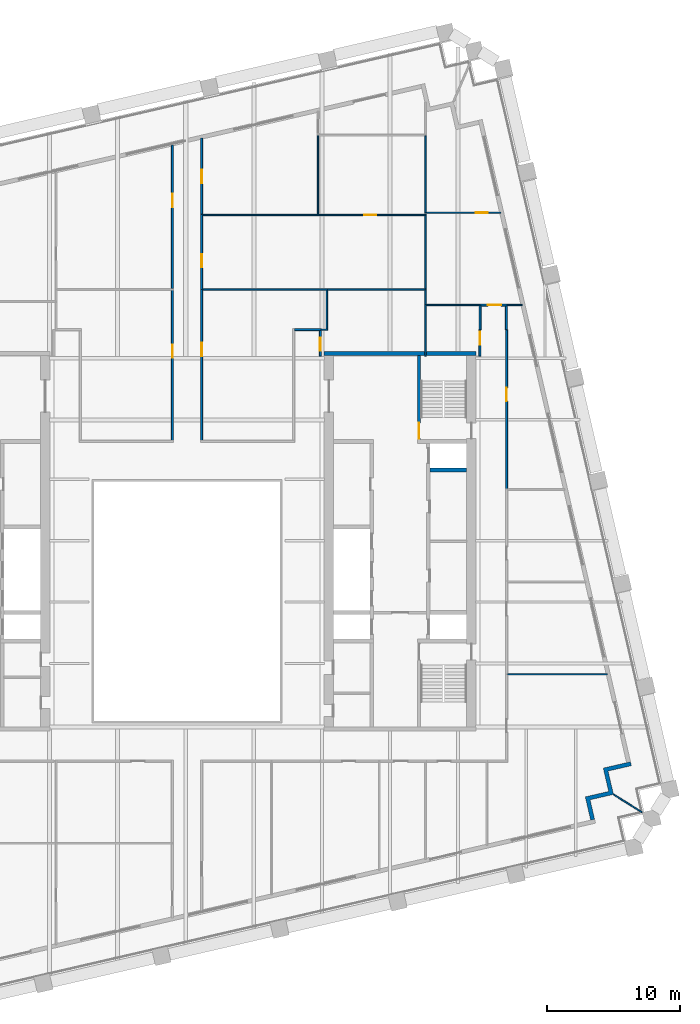
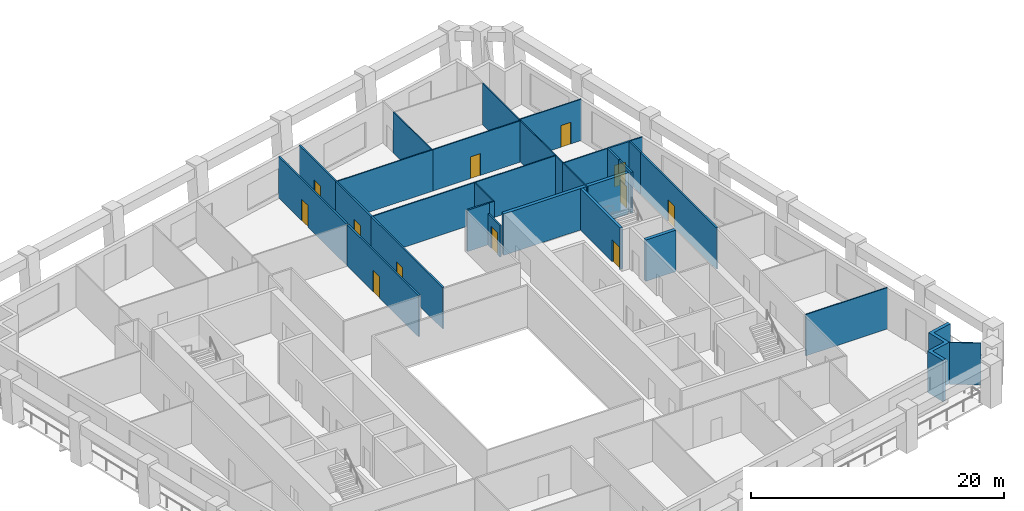
# One storey, part 8 of 11: 32 walls, 12 doors, 12 openings.
"""IFC4 building model written with IfcOpenShell, lengths in metres."""

from ifc_helpers import new_model, si_unit, direction, frame, frame_2d, origin, place, context, subcontext, project, spatial, polyline, rectangle, outline, extrude, material, layer, layer_set, type_object, element, fill, save


model = new_model("IFC4")

# Units and contexts
model_context = context("Model", 3, precision=1e-05, world=origin(), true_north=direction((0.0, 1.0)))
body_context = subcontext(model_context, "Body", "Model", "MODEL_VIEW")
ifc_project = project(units=[si_unit("LENGTHUNIT", "METRE"), si_unit("AREAUNIT", "SQUARE_METRE"), si_unit("VOLUMEUNIT", "CUBIC_METRE"), si_unit("PLANEANGLEUNIT", "RADIAN"), si_unit("MASSUNIT", "GRAM", prefix="KILO")], contexts=[model_context])

# Site, building, storey
site_placement = place(None, origin())
site = spatial("IfcSite", under=ifc_project, at=site_placement, CompositionType="ELEMENT")
building_placement = place(site_placement, origin())
building = spatial("IfcBuilding", under=site, at=building_placement, Name="Ogive Exchange Tower", CompositionType="ELEMENT")
storey_placement = place(building_placement, frame((0.0, 0.0, 175.800048828125)))
storey = spatial("IfcBuildingStorey", under=building, at=storey_placement, Name="L38", CompositionType="ELEMENT", Elevation=175.800048828125)

# Wall, opening, door
ifc_material_1 = material(Name="Fire partition EI 60 150")
ifc_layer_1 = layer(ifc_material_1, 0.14990234375)
ifc_layer_set_1 = layer_set([ifc_layer_1], Name="Fire partition EI 60 150")
wall_type_1 = type_object("IfcWallType", Name="Fire partition EI 60 150", PredefinedType="PARTITIONING", material=ifc_layer_set_1)
wall_1_placement = place(storey_placement, frame((-1.10009765625, 19.074951171875, 0.0), z_axis=(0.0, 0.0, 1.0), x_axis=(0.0, 1.0, 0.0)))
wall_1 = element("IfcWall", 1, at=wall_1_placement, inside=storey, type_object=wall_type_1, Name="L38-PWL-034", PredefinedType="PARTITIONING", context=body_context, shape_type="SweptSolid", body=[
    extrude(rectangle(XDim=11.295166015625, YDim=0.14990234375, at=frame_2d((5.6474609375, 0.0))), origin(), (0.0, 0.0, 1.0), 4.0),
])
opening_1_placement = place(wall_1_placement, frame((6.195068359375, 0.0, 0.0)))
opening_1 = element("IfcOpeningElement", 2, at=opening_1_placement, cuts=wall_1, Name="Opening L38-I03", PredefinedType="OPENING", context=body_context, shape_type="SweptSolid", body=[
    extrude(rectangle(XDim=1.0, YDim=2.10009765625, at=frame_2d((0.5, 1.050048828125))), frame((0.0, 0.0849609375, 0.0), z_axis=(0.0, -1.0, 0.0), x_axis=(1.0, 0.0, 0.0)), (0.0, 0.0, 1.0), 0.169921875),
])
ifc_material_2 = material(Name="Fire door FD 30S 1000 x 2100")
door_type_1 = type_object("IfcDoorType", Name="Fire door FD 30S 1000 x 2100", OperationType="NOTDEFINED", PredefinedType="DOOR", material=ifc_material_2)
door_1_placement = place(opening_1_placement, origin())
door_1 = element("IfcDoor", 3, at=door_1_placement, inside=storey, type_object=door_type_1, Name="L38-IDR-003", ObjectType="DT3", OperationType="SINGLE_SWING_RIGHT", OverallHeight=2.10009765625, OverallWidth=1.0, PredefinedType="DOOR", context=body_context, shape_type="SweptSolid", body=[
    extrude(rectangle(XDim=1.0, YDim=2.10009765625, at=frame_2d((0.5, 1.050048828125))), frame((0.0, 0.02490234375, 0.0), z_axis=(0.0, -1.0, 0.0), x_axis=(1.0, 0.0, 0.0)), (0.0, 0.0, 1.0), 0.050048828125),
])
fill(opening_1, door_1)

wall_2_placement = place(storey_placement, frame((-1.10009765625, 30.469970703125, 0.0), z_axis=(0.0, 0.0, 1.0), x_axis=(0.0, 1.0, 0.0)))
wall_2 = element("IfcWall", 4, at=wall_2_placement, inside=storey, type_object=wall_type_1, Name="L38-PWL-035", PredefinedType="PARTITIONING", context=body_context, shape_type="SweptSolid", body=[
    extrude(rectangle(XDim=10.800048828125, YDim=0.14990234375, at=frame_2d((5.39990234375, 0.0))), origin(), (0.0, 0.0, 1.0), 4.0),
])
opening_2_placement = place(wall_2_placement, frame((6.1298828125, 0.0, 0.0)))
opening_2 = element("IfcOpeningElement", 5, at=opening_2_placement, cuts=wall_2, Name="Opening L38-I04", PredefinedType="OPENING", context=body_context, shape_type="SweptSolid", body=[
    extrude(rectangle(XDim=1.0, YDim=2.10009765625, at=frame_2d((0.5, 1.050048828125))), frame((0.0, 0.0849609375, 0.0), z_axis=(0.0, -1.0, 0.0), x_axis=(1.0, 0.0, 0.0)), (0.0, 0.0, 1.0), 0.169921875),
])
door_2_placement = place(opening_2_placement, origin())
door_2 = element("IfcDoor", 6, at=door_2_placement, inside=storey, type_object=door_type_1, Name="L38-IDR-004", ObjectType="DT3", OperationType="SINGLE_SWING_LEFT", OverallHeight=2.10009765625, OverallWidth=1.0, PredefinedType="DOOR", context=body_context, shape_type="SweptSolid", body=[
    extrude(rectangle(XDim=1.0, YDim=2.10009765625, at=frame_2d((0.5, 1.050048828125))), frame((0.0, 0.02490234375, 0.0), z_axis=(0.0, -1.0, 0.0), x_axis=(1.0, 0.0, 0.0)), (0.0, 0.0, 1.0), 0.050048828125),
])
fill(opening_2, door_2)

wall_3_placement = place(storey_placement, frame((1.10009765625, 30.469970703125, 0.0), z_axis=(0.0, 0.0, 1.0), x_axis=(0.0, -1.0, 0.0)))
wall_3 = element("IfcWall", 7, at=wall_3_placement, inside=storey, type_object=wall_type_1, Name="L38-PWL-038", PredefinedType="PARTITIONING", context=body_context, shape_type="SweptSolid", body=[
    extrude(rectangle(XDim=11.39501953125, YDim=0.14990234375, at=frame_2d((5.697509765625, 0.0))), origin(), (0.0, 0.0, 1.0), 4.0),
])
opening_3_placement = place(wall_3_placement, frame((4.070068359375, 0.0, 0.0)))
opening_3 = element("IfcOpeningElement", 8, at=opening_3_placement, cuts=wall_3, Name="Opening L38-I25", PredefinedType="OPENING", context=body_context, shape_type="SweptSolid", body=[
    extrude(rectangle(XDim=1.0, YDim=2.10009765625, at=frame_2d((0.5, 1.050048828125))), frame((0.0, 0.0849609375, 0.0), z_axis=(0.0, -1.0, 0.0), x_axis=(1.0, 0.0, 0.0)), (0.0, 0.0, 1.0), 0.169921875),
])
door_3_placement = place(opening_3_placement, origin())
door_3 = element("IfcDoor", 9, at=door_3_placement, inside=storey, type_object=door_type_1, Name="L38-IDR-025", ObjectType="DT3", OperationType="SINGLE_SWING_LEFT", OverallHeight=2.10009765625, OverallWidth=1.0, PredefinedType="DOOR", context=body_context, shape_type="SweptSolid", body=[
    extrude(rectangle(XDim=1.0, YDim=2.10009765625, at=frame_2d((0.5, 1.050048828125))), frame((0.0, 0.02490234375, 0.0), z_axis=(0.0, -1.0, 0.0), x_axis=(1.0, 0.0, 0.0)), (0.0, 0.0, 1.0), 0.050048828125),
])
fill(opening_3, door_3)

wall_4_placement = place(storey_placement, frame((1.10009765625, 36.050048828125, 0.0), z_axis=(0.0, 0.0, 1.0), x_axis=(0.0, -1.0, 0.0)))
wall_4 = element("IfcWall", 10, at=wall_4_placement, inside=storey, type_object=wall_type_1, Name="L38-PWL-040", PredefinedType="PARTITIONING", context=body_context, shape_type="SweptSolid", body=[
    extrude(rectangle(XDim=5.630126953125, YDim=0.14990234375, at=frame_2d((2.81494140625, 0.0))), origin(), (0.0, 0.0, 1.0), 4.0),
])
opening_4_placement = place(wall_4_placement, frame((2.97998046875, 0.0, 0.0)))
opening_4 = element("IfcOpeningElement", 11, at=opening_4_placement, cuts=wall_4, Name="Opening L38-I27", PredefinedType="OPENING", context=body_context, shape_type="SweptSolid", body=[
    extrude(rectangle(XDim=1.0, YDim=2.10009765625, at=frame_2d((0.5, 1.050048828125))), frame((0.0, 0.0849609375, 0.0), z_axis=(0.0, -1.0, 0.0), x_axis=(1.0, 0.0, 0.0)), (0.0, 0.0, 1.0), 0.169921875),
])
door_4_placement = place(opening_4_placement, origin())
door_4 = element("IfcDoor", 12, at=door_4_placement, inside=storey, type_object=door_type_1, Name="L38-IDR-027", ObjectType="DT3", OperationType="SINGLE_SWING_LEFT", OverallHeight=2.10009765625, OverallWidth=1.0, PredefinedType="DOOR", context=body_context, shape_type="SweptSolid", body=[
    extrude(rectangle(XDim=1.0, YDim=2.10009765625, at=frame_2d((0.5, 1.050048828125))), frame((0.0, 0.02490234375, 0.0), z_axis=(0.0, -1.0, 0.0), x_axis=(1.0, 0.0, 0.0)), (0.0, 0.0, 1.0), 0.050048828125),
])
fill(opening_4, door_4)

wall_5_placement = place(storey_placement, frame((1.10009765625, 41.778076171875, 0.0), z_axis=(0.0, 0.0, 1.0), x_axis=(0.0, -1.0, 0.0)))
wall_5 = element("IfcWall", 13, at=wall_5_placement, inside=storey, type_object=wall_type_1, Name="L38-PWL-042", PredefinedType="PARTITIONING", context=body_context, shape_type="SweptSolid", body=[
    extrude(rectangle(XDim=5.778076171875, YDim=0.14990234375, at=frame_2d((2.88916015625, 0.0))), origin(), (0.0, 0.0, 1.0), 4.0),
])
opening_5_placement = place(wall_5_placement, frame((2.3779296875, 0.0, 0.0)))
opening_5 = element("IfcOpeningElement", 14, at=opening_5_placement, cuts=wall_5, Name="Opening L38-I28", PredefinedType="OPENING", context=body_context, shape_type="SweptSolid", body=[
    extrude(rectangle(XDim=1.0, YDim=2.10009765625, at=frame_2d((0.5, 1.050048828125))), frame((0.0, 0.0849609375, 0.0), z_axis=(0.0, -1.0, 0.0), x_axis=(1.0, 0.0, 0.0)), (0.0, 0.0, 1.0), 0.169921875),
])
door_5_placement = place(opening_5_placement, origin())
door_5 = element("IfcDoor", 15, at=door_5_placement, inside=storey, type_object=door_type_1, Name="L38-IDR-028", ObjectType="DT3", OperationType="SINGLE_SWING_RIGHT", OverallHeight=2.10009765625, OverallWidth=1.0, PredefinedType="DOOR", context=body_context, shape_type="SweptSolid", body=[
    extrude(rectangle(XDim=1.0, YDim=2.10009765625, at=frame_2d((0.5, 1.050048828125))), frame((0.0, 0.02490234375, 0.0), z_axis=(0.0, -1.0, 0.0), x_axis=(1.0, 0.0, 0.0)), (0.0, 0.0, 1.0), 0.050048828125),
])
fill(opening_5, door_5)

# Wall
wall_6_placement = place(storey_placement, frame((8.074951171875, 27.39990234375, 0.0), z_axis=(0.0, 0.0, 1.0), x_axis=(1.0, 0.0, 0.0)))
element("IfcWall", 16, at=wall_6_placement, inside=storey, type_object=wall_type_1, Name="L38-PWL-046", PredefinedType="PARTITIONING", context=body_context, shape_type="SweptSolid", body=[
    extrude(rectangle(XDim=2.0, YDim=0.14990234375, at=frame_2d((1.0, 0.0))), origin(), (0.0, 0.0, 1.0), 4.0),
])

# Wall, opening, door
wall_7_placement = place(storey_placement, frame((10.010009765625, 27.31494140625, 0.0), z_axis=(0.0, 0.0, 1.0), x_axis=(0.0, -1.0, 0.0)))
wall_7 = element("IfcWall", 17, at=wall_7_placement, inside=storey, type_object=wall_type_1, Name="L38-PWL-052", PredefinedType="PARTITIONING", context=body_context, shape_type="SweptSolid", body=[
    extrude(rectangle(XDim=1.9150390625, YDim=0.14990234375, at=frame_2d((0.95751953125, 0.0))), origin(), (0.0, 0.0, 1.0), 3.02001953125),
])
opening_6_placement = place(wall_7_placement, frame((0.514892578125, 0.0, 0.0)))
opening_6 = element("IfcOpeningElement", 18, at=opening_6_placement, cuts=wall_7, Name="Opening L38-I26", PredefinedType="OPENING", context=body_context, shape_type="SweptSolid", body=[
    extrude(rectangle(XDim=1.0, YDim=2.10009765625, at=frame_2d((0.5, 1.050048828125))), frame((0.0, 0.0849609375, 0.0), z_axis=(0.0, -1.0, 0.0), x_axis=(1.0, 0.0, 0.0)), (0.0, 0.0, 1.0), 0.169921875),
])
door_6_placement = place(opening_6_placement, origin())
door_6 = element("IfcDoor", 19, at=door_6_placement, inside=storey, type_object=door_type_1, Name="L38-IDR-026", ObjectType="DT3", OperationType="SINGLE_SWING_RIGHT", OverallHeight=2.10009765625, OverallWidth=1.0, PredefinedType="DOOR", context=body_context, shape_type="SweptSolid", body=[
    extrude(rectangle(XDim=1.0, YDim=2.10009765625, at=frame_2d((0.5, 1.050048828125))), frame((0.0, 0.02490234375, 0.0), z_axis=(0.0, -1.0, 0.0), x_axis=(1.0, 0.0, 0.0)), (0.0, 0.0, 1.0), 0.050048828125),
])
fill(opening_6, door_6)

wall_8_placement = place(storey_placement, frame((22.0, 25.39990234375, 0.0), z_axis=(0.0, 0.0, 1.0), x_axis=(0.0, 1.0, 0.0)))
wall_8 = element("IfcWall", 20, at=wall_8_placement, inside=storey, type_object=wall_type_1, Name="L38-PWL-067", PredefinedType="PARTITIONING", context=body_context, shape_type="SweptSolid", body=[
    extrude(rectangle(XDim=2.0, YDim=0.14990234375, at=frame_2d((1.0, 0.0))), origin(), (0.0, 0.0, 1.0), 4.0),
])
opening_7_placement = place(wall_8_placement, frame((0.85009765625, 0.0, 0.0)))
opening_7 = element("IfcOpeningElement", 21, at=opening_7_placement, cuts=wall_8, Name="Opening L38-I17", PredefinedType="OPENING", context=body_context, shape_type="SweptSolid", body=[
    extrude(rectangle(XDim=1.0, YDim=2.10009765625, at=frame_2d((0.5, 1.050048828125))), frame((0.0, 0.0849609375, 0.0), z_axis=(0.0, -1.0, 0.0), x_axis=(1.0, 0.0, 0.0)), (0.0, 0.0, 1.0), 0.169921875),
])
door_7_placement = place(opening_7_placement, origin())
door_7 = element("IfcDoor", 22, at=door_7_placement, inside=storey, type_object=door_type_1, Name="L38-IDR-017", ObjectType="DT3", OperationType="SINGLE_SWING_LEFT", OverallHeight=2.10009765625, OverallWidth=1.0, PredefinedType="DOOR", context=body_context, shape_type="SweptSolid", body=[
    extrude(rectangle(XDim=1.0, YDim=2.10009765625, at=frame_2d((0.5, 1.050048828125))), frame((0.0, 0.02490234375, 0.0), z_axis=(0.0, -1.0, 0.0), x_axis=(1.0, 0.0, 0.0)), (0.0, 0.0, 1.0), 0.050048828125),
])
fill(opening_7, door_7)

# Wall
wall_9_placement = place(storey_placement, frame((22.010009765625, 27.39990234375, 0.0), z_axis=(0.0, 0.0, 1.0), x_axis=(0.0, 1.0, 0.0)))
element("IfcWall", 23, at=wall_9_placement, inside=storey, type_object=wall_type_1, Name="L38-PWL-068", PredefinedType="PARTITIONING", context=body_context, shape_type="SweptSolid", body=[
    extrude(rectangle(XDim=1.7900390625, YDim=0.14990234375, at=frame_2d((0.89501953125, 0.0))), origin(), (0.0, 0.0, 1.0), 4.0),
])

# Wall, opening, door
wall_10_placement = place(storey_placement, frame((22.010009765625, 29.239990234375, 0.0), z_axis=(0.0, 0.0, 1.0), x_axis=(1.0, 0.0, 0.0)))
wall_10 = element("IfcWall", 24, at=wall_10_placement, inside=storey, type_object=wall_type_1, Name="L38-PWL-069", PredefinedType="PARTITIONING", context=body_context, shape_type="SweptSolid", body=[
    extrude(rectangle(XDim=2.054931640625, YDim=0.14990234375, at=frame_2d((1.02734375, 0.0))), origin(), (0.0, 0.0, 1.0), 4.0),
])
opening_8_placement = place(wall_10_placement, frame((0.580078125, 0.0, 0.0)))
opening_8 = element("IfcOpeningElement", 25, at=opening_8_placement, cuts=wall_10, Name="Opening L38-I23", PredefinedType="OPENING", context=body_context, shape_type="SweptSolid", body=[
    extrude(rectangle(XDim=1.0, YDim=2.10009765625, at=frame_2d((0.5, 1.050048828125))), frame((0.0, 0.0849609375, 0.0), z_axis=(0.0, -1.0, 0.0), x_axis=(1.0, 0.0, 0.0)), (0.0, 0.0, 1.0), 0.169921875),
])
door_8_placement = place(opening_8_placement, origin())
door_8 = element("IfcDoor", 26, at=door_8_placement, inside=storey, type_object=door_type_1, Name="L38-IDR-023", ObjectType="DT3", OperationType="SINGLE_SWING_LEFT", OverallHeight=2.10009765625, OverallWidth=1.0, PredefinedType="DOOR", context=body_context, shape_type="SweptSolid", body=[
    extrude(rectangle(XDim=1.0, YDim=2.10009765625, at=frame_2d((0.5, 1.050048828125))), frame((0.0, 0.02490234375, 0.0), z_axis=(0.0, -1.0, 0.0), x_axis=(1.0, 0.0, 0.0)), (0.0, 0.0, 1.0), 0.050048828125),
])
fill(opening_8, door_8)

# Wall
wall_11_placement = place(storey_placement, frame((23.989990234375, 29.1650390625, 0.0), z_axis=(0.0, 0.0, 1.0), x_axis=(0.0, -1.0, 0.0)))
element("IfcWall", 27, at=wall_11_placement, inside=storey, type_object=wall_type_1, Name="L38-PWL-072", PredefinedType="PARTITIONING", context=body_context, shape_type="SweptSolid", body=[
    extrude(rectangle(XDim=1.76513671875, YDim=0.14990234375, at=frame_2d((0.882568359375, 0.0))), origin(), (0.0, 0.0, 1.0), 4.0),
])

# Wall, opening, door
wall_12_placement = place(storey_placement, frame((24.0, 27.39990234375, 0.0), z_axis=(0.0, 0.0, 1.0), x_axis=(0.0, -1.0, 0.0)))
wall_12 = element("IfcWall", 28, at=wall_12_placement, inside=storey, type_object=wall_type_1, Name="L38-PWL-081", PredefinedType="PARTITIONING", context=body_context, shape_type="SweptSolid", body=[
    extrude(rectangle(XDim=12.02001953125, YDim=0.14990234375, at=frame_2d((6.010009765625, 0.0))), origin(), (0.0, 0.0, 1.0), 4.0),
])
opening_9_placement = place(wall_12_placement, frame((4.3701171875, 0.0, 0.0)))
opening_9 = element("IfcOpeningElement", 29, at=opening_9_placement, cuts=wall_12, Name="Opening L38-I22", PredefinedType="OPENING", context=body_context, shape_type="SweptSolid", body=[
    extrude(rectangle(XDim=1.0, YDim=2.10009765625, at=frame_2d((0.5, 1.050048828125))), frame((0.0, 0.0849609375, 0.0), z_axis=(0.0, -1.0, 0.0), x_axis=(1.0, 0.0, 0.0)), (0.0, 0.0, 1.0), 0.169921875),
])
door_9_placement = place(opening_9_placement, origin())
door_9 = element("IfcDoor", 30, at=door_9_placement, inside=storey, type_object=door_type_1, Name="L38-IDR-022", ObjectType="DT3", OperationType="SINGLE_SWING_RIGHT", OverallHeight=2.10009765625, OverallWidth=1.0, PredefinedType="DOOR", context=body_context, shape_type="SweptSolid", body=[
    extrude(rectangle(XDim=1.0, YDim=2.10009765625, at=frame_2d((0.5, 1.050048828125))), frame((0.0, 0.02490234375, 0.0), z_axis=(0.0, -1.0, 0.0), x_axis=(1.0, 0.0, 0.0)), (0.0, 0.0, 1.0), 0.050048828125),
])
fill(opening_9, door_9)

# Walls
ifc_material_3 = material(Name="Precast concrete C40/50", Category="concrete")
ifc_layer_2 = layer(ifc_material_3, 0.300048828125)
ifc_layer_set_2 = layer_set([ifc_layer_2], Name="Limestone-faced wall 300")
wall_type_2 = type_object("IfcWallType", Name="Limestone-faced wall 300", PredefinedType="STANDARD", material=ifc_layer_set_2)
wall_13_placement = place(storey_placement, origin())
element("IfcWall", 31, at=wall_13_placement, inside=storey, type_object=wall_type_2, Name="External corner wall C1", PredefinedType="STANDARD", context=body_context, shape_type="SweptSolid", body=[
    extrude(outline(polyline([(31.662109375, -7.28466796875), (31.257080078125, -5.53076171875), (33.30322265625, -5.058349609375), (33.370849609375, -5.3505859375), (31.616943359375, -5.755615234375), (32.02197265625, -7.509521484375), (30.26806640625, -7.914306640625), (30.60546875, -9.3759765625), (30.31298828125, -9.443359375), (29.908203125, -7.689697265625), (31.662109375, -7.28466796875)])), origin(), (0.0, 0.0, 1.0), 4.0),
])
ifc_material_4 = material(Name="Laminated safety glass in steel frame", Category="steel")
ifc_layer_3 = layer(ifc_material_4, 0.10009765625)
ifc_layer_set_3 = layer_set([ifc_layer_3], Name="Loggia end screen 100")
wall_type_3 = type_object("IfcWallType", Name="Loggia end screen 100", PredefinedType="STANDARD", material=ifc_layer_set_3)
wall_14_placement = place(storey_placement, frame((32.02197265625, -7.509521484375, -0.050048828125), z_axis=(0.0, 0.0, 1.0), x_axis=(0.848047176257, -0.529920736377, 0.0)))
element("IfcWall", 32, at=wall_14_placement, inside=storey, type_object=wall_type_3, Name="Loggia end screen C1", PredefinedType="STANDARD", context=body_context, shape_type="SweptSolid", body=[
    extrude(rectangle(XDim=2.525634765625, YDim=0.10009765625, at=frame_2d((1.2626953125, 0.0))), origin(), (0.0, 0.0, 1.0), 4.050048828125),
])
ifc_material_5 = material(Name="Partition 100 gypsum")
ifc_layer_4 = layer(ifc_material_5, 0.10009765625)
ifc_layer_set_4 = layer_set([ifc_layer_4], Name="Partition 100 gypsum")
wall_type_4 = type_object("IfcWallType", Name="Partition 100 gypsum", PredefinedType="PARTITIONING", material=ifc_layer_set_4)
wall_15_placement = place(storey_placement, frame((1.175048828125, 30.419921875, 0.0), z_axis=(0.0, 0.0, 1.0), x_axis=(1.0, 0.0, 0.0)))
element("IfcWall", 33, at=wall_15_placement, inside=storey, type_object=wall_type_4, Name="L38-PWL-039", PredefinedType="PARTITIONING", context=body_context, shape_type="SweptSolid", body=[
    extrude(rectangle(XDim=9.375, YDim=0.10009765625, at=frame_2d((4.6875, 0.0))), origin(), (0.0, 0.0, 1.0), 4.0),
])
wall_16_placement = place(storey_placement, frame((1.175048828125, 36.0, 0.0), z_axis=(0.0, 0.0, 1.0), x_axis=(1.0, 0.0, 0.0)))
element("IfcWall", 34, at=wall_16_placement, inside=storey, type_object=wall_type_4, Name="L38-PWL-041", PredefinedType="PARTITIONING", context=body_context, shape_type="SweptSolid", body=[
    extrude(rectangle(XDim=8.704833984375, YDim=0.10009765625, at=frame_2d((4.3525390625, 0.0))), origin(), (0.0, 0.0, 1.0), 4.0),
])

# Wall, opening, door
wall_17_placement = place(storey_placement, frame((9.8798828125, 36.0, 0.0), z_axis=(0.0, 0.0, 1.0), x_axis=(1.0, 0.0, 0.0)))
wall_17 = element("IfcWall", 35, at=wall_17_placement, inside=storey, type_object=wall_type_4, Name="L38-PWL-047", PredefinedType="PARTITIONING", context=body_context, shape_type="SweptSolid", body=[
    extrude(rectangle(XDim=8.090087890625, YDim=0.10009765625, at=frame_2d((4.044921875, 0.0))), origin(), (0.0, 0.0, 1.0), 4.0),
])
opening_10_placement = place(wall_17_placement, frame((3.43994140625, 0.0, 0.0)))
opening_10 = element("IfcOpeningElement", 36, at=opening_10_placement, cuts=wall_17, Name="Opening L38-I29", PredefinedType="OPENING", context=body_context, shape_type="SweptSolid", body=[
    extrude(rectangle(XDim=0.89990234375, YDim=2.10009765625, at=frame_2d((0.449951171875, 1.050048828125))), frame((0.0, 0.06005859375, 0.0), z_axis=(0.0, -1.0, 0.0), x_axis=(1.0, 0.0, 0.0)), (0.0, 0.0, 1.0), 0.1201171875),
])
ifc_material_6 = material(Name="Door 900 x 2100")
door_type_2 = type_object("IfcDoorType", Name="Door 900 x 2100", OperationType="NOTDEFINED", PredefinedType="DOOR", material=ifc_material_6)
door_10_placement = place(opening_10_placement, origin())
door_10 = element("IfcDoor", 37, at=door_10_placement, inside=storey, type_object=door_type_2, Name="L38-IDR-029", ObjectType="DT1", OperationType="SINGLE_SWING_RIGHT", OverallHeight=2.10009765625, OverallWidth=0.89990234375, PredefinedType="DOOR", context=body_context, shape_type="SweptSolid", body=[
    extrude(rectangle(XDim=0.89990234375, YDim=2.10009765625, at=frame_2d((0.449951171875, 1.050048828125))), frame((0.0, 0.02490234375, 0.0), z_axis=(0.0, -1.0, 0.0), x_axis=(1.0, 0.0, 0.0)), (0.0, 0.0, 1.0), 0.050048828125),
])
fill(opening_10, door_10)

# Walls
wall_18_placement = place(storey_placement, frame((9.830078125, 42.050048828125, 0.0), z_axis=(0.0, 0.0, 1.0), x_axis=(0.0, -1.0, 0.0)))
element("IfcWall", 38, at=wall_18_placement, inside=storey, type_object=wall_type_4, Name="L38-PWL-048", PredefinedType="PARTITIONING", context=body_context, shape_type="SweptSolid", body=[
    extrude(rectangle(XDim=6.0, YDim=0.10009765625, at=frame_2d((3.0, 0.0))), origin(), (0.0, 0.0, 1.0), 4.0),
])
wall_19_placement = place(storey_placement, frame((10.550048828125, 27.389892578125, 0.0), z_axis=(0.0, 0.0, 1.0), x_axis=(-1.0, 0.0, 0.0)))
element("IfcWall", 39, at=wall_19_placement, inside=storey, type_object=wall_type_4, Name="L38-PWL-053", PredefinedType="PARTITIONING", context=body_context, shape_type="SweptSolid", body=[
    extrude(rectangle(XDim=0.47509765625, YDim=0.10009765625, at=frame_2d((0.237548828125, 0.0))), origin(), (0.0, 0.0, 1.0), 4.0),
])
wall_20_placement = place(storey_placement, frame((10.5, 30.3701171875, 0.0), z_axis=(0.0, 0.0, 1.0), x_axis=(0.0, -1.0, 0.0)))
element("IfcWall", 40, at=wall_20_placement, inside=storey, type_object=wall_type_4, Name="L38-PWL-054", PredefinedType="PARTITIONING", context=body_context, shape_type="SweptSolid", body=[
    extrude(rectangle(XDim=2.93017578125, YDim=0.10009765625, at=frame_2d((1.465087890625, 0.0))), origin(), (0.0, 0.0, 1.0), 4.0),
])
wall_21_placement = place(storey_placement, frame((10.550048828125, 30.419921875, 0.0), z_axis=(0.0, 0.0, 1.0), x_axis=(1.0, 0.0, 0.0)))
element("IfcWall", 41, at=wall_21_placement, inside=storey, type_object=wall_type_4, Name="L38-PWL-055", PredefinedType="PARTITIONING", context=body_context, shape_type="SweptSolid", body=[
    extrude(rectangle(XDim=7.419921875, YDim=0.10009765625, at=frame_2d((3.7099609375, 0.0))), origin(), (0.0, 0.0, 1.0), 4.0),
])
wall_22_placement = place(storey_placement, frame((17.919921875, 25.39990234375, 0.0), z_axis=(0.0, 0.0, 1.0), x_axis=(0.0, 1.0, 0.0)))
element("IfcWall", 42, at=wall_22_placement, inside=storey, type_object=wall_type_4, Name="L38-PWL-060", PredefinedType="PARTITIONING", context=body_context, shape_type="SweptSolid", body=[
    extrude(rectangle(XDim=3.89013671875, YDim=0.10009765625, at=frame_2d((1.945068359375, 0.0))), origin(), (0.0, 0.0, 1.0), 4.0),
])
wall_23_placement = place(storey_placement, frame((17.919921875, 29.2900390625, 0.0), z_axis=(0.0, 0.0, 1.0), x_axis=(0.0, 1.0, 0.0)))
element("IfcWall", 43, at=wall_23_placement, inside=storey, type_object=wall_type_4, Name="L38-PWL-061", PredefinedType="PARTITIONING", context=body_context, shape_type="SweptSolid", body=[
    extrude(rectangle(XDim=1.080078125, YDim=0.10009765625, at=frame_2d((0.5400390625, 0.0))), origin(), (0.0, 0.0, 1.0), 4.0),
])
wall_24_placement = place(storey_placement, frame((17.969970703125, 29.239990234375, 0.0), z_axis=(0.0, 0.0, 1.0), x_axis=(1.0, 0.0, 0.0)))
element("IfcWall", 44, at=wall_24_placement, inside=storey, type_object=wall_type_4, Name="L38-PWL-062", PredefinedType="PARTITIONING", context=body_context, shape_type="SweptSolid", body=[
    extrude(rectangle(XDim=4.0400390625, YDim=0.10009765625, at=frame_2d((2.02001953125, 0.0))), origin(), (0.0, 0.0, 1.0), 4.0),
])
wall_25_placement = place(storey_placement, frame((17.919921875, 30.469970703125, 0.0), z_axis=(0.0, 0.0, 1.0), x_axis=(0.0, 1.0, 0.0)))
element("IfcWall", 45, at=wall_25_placement, inside=storey, type_object=wall_type_4, Name="L38-PWL-063", PredefinedType="PARTITIONING", context=body_context, shape_type="SweptSolid", body=[
    extrude(rectangle(XDim=5.47998046875, YDim=0.10009765625, at=frame_2d((2.739990234375, 0.0))), origin(), (0.0, 0.0, 1.0), 4.0),
])
wall_26_placement = place(storey_placement, frame((17.919921875, 36.1201171875, 0.0), z_axis=(0.0, 0.0, 1.0), x_axis=(0.0, 1.0, 0.0)))
element("IfcWall", 46, at=wall_26_placement, inside=storey, type_object=wall_type_4, Name="L38-PWL-064", PredefinedType="PARTITIONING", context=body_context, shape_type="SweptSolid", body=[
    extrude(rectangle(XDim=5.829833984375, YDim=0.10009765625, at=frame_2d((2.9150390625, 0.0))), origin(), (0.0, 0.0, 1.0), 4.0),
])

# Wall, opening, door
wall_27_placement = place(storey_placement, frame((17.969970703125, 36.169921875, 0.0), z_axis=(0.0, 0.0, 1.0), x_axis=(1.0, 0.0, 0.0)))
wall_27 = element("IfcWall", 47, at=wall_27_placement, inside=storey, type_object=wall_type_4, Name="L38-PWL-065", PredefinedType="PARTITIONING", context=body_context, shape_type="SweptSolid", body=[
    extrude(rectangle(XDim=5.590087890625, YDim=0.10009765625, at=frame_2d((2.794921875, 0.0))), origin(), (0.0, 0.0, 1.0), 4.0),
])
opening_11_placement = place(wall_27_placement, frame((3.719970703125, 0.0, 0.0)))
opening_11 = element("IfcOpeningElement", 48, at=opening_11_placement, cuts=wall_27, Name="Opening L38-I24", PredefinedType="OPENING", context=body_context, shape_type="SweptSolid", body=[
    extrude(rectangle(XDim=0.89990234375, YDim=2.10009765625, at=frame_2d((0.449951171875, 1.050048828125))), frame((0.0, 0.06005859375, 0.0), z_axis=(0.0, -1.0, 0.0), x_axis=(1.0, 0.0, 0.0)), (0.0, 0.0, 1.0), 0.1201171875),
])
door_11_placement = place(opening_11_placement, origin())
door_11 = element("IfcDoor", 49, at=door_11_placement, inside=storey, type_object=door_type_2, Name="L38-IDR-024", ObjectType="DT1", OperationType="SINGLE_SWING_LEFT", OverallHeight=2.10009765625, OverallWidth=0.89990234375, PredefinedType="DOOR", context=body_context, shape_type="SweptSolid", body=[
    extrude(rectangle(XDim=0.89990234375, YDim=2.10009765625, at=frame_2d((0.449951171875, 1.050048828125))), frame((0.0, 0.02490234375, 0.0), z_axis=(0.0, -1.0, 0.0), x_axis=(1.0, 0.0, 0.0)), (0.0, 0.0, 1.0), 0.050048828125),
])
fill(opening_11, door_11)

# Walls
wall_28_placement = place(storey_placement, frame((24.06494140625, 29.239990234375, 0.0), z_axis=(0.0, 0.0, 1.0), x_axis=(1.0, 0.0, 0.0)))
element("IfcWall", 50, at=wall_28_placement, inside=storey, type_object=wall_type_4, Name="L38-PWL-073", PredefinedType="PARTITIONING", context=body_context, shape_type="SweptSolid", body=[
    extrude(rectangle(XDim=1.094970703125, YDim=0.10009765625, at=frame_2d((0.54736328125, 0.0))), origin(), (0.0, 0.0, 1.0), 4.0),
])
wall_29_placement = place(storey_placement, frame((24.074951171875, 1.510009765625, 0.0), z_axis=(0.0, 0.0, 1.0), x_axis=(1.0, 0.0, 0.0)))
element("IfcWall", 51, at=wall_29_placement, inside=storey, type_object=wall_type_4, Name="L38-PWL-076", PredefinedType="PARTITIONING", context=body_context, shape_type="SweptSolid", body=[
    extrude(rectangle(XDim=7.487060546875, YDim=0.10009765625, at=frame_2d((3.74365234375, 0.0))), origin(), (0.0, 0.0, 1.0), 4.0),
])

# Wall, opening, door
ifc_material_7 = material(Name="Concrete C70/85", Category="concrete")
ifc_layer_5 = layer(ifc_material_7, 0.25)
ifc_layer_set_5 = layer_set([ifc_layer_5], Name="RC core wall 250 C70/85")
wall_type_5 = type_object("IfcWallType", Name="RC core wall 250 C70/85", PredefinedType="SHEAR", material=ifc_layer_set_5)
wall_30_placement = place(storey_placement, frame((17.425048828125, 19.14990234375, 0.0), z_axis=(0.0, 0.0, 1.0), x_axis=(0.0, 1.0, 0.0)))
wall_30 = element("IfcWall", 52, at=wall_30_placement, inside=storey, type_object=wall_type_5, Name="E stair N front wall", PredefinedType="SHEAR", context=body_context, shape_type="SweptSolid", body=[
    extrude(rectangle(XDim=6.300048828125, YDim=0.25, at=frame_2d((3.14990234375, 0.0))), origin(), (0.0, 0.0, 1.0), 4.0),
])
opening_12_placement = place(wall_30_placement, frame((0.050048828125, 0.0, 0.0)))
opening_12 = element("IfcOpeningElement", 53, at=opening_12_placement, cuts=wall_30, Name="Opening L38-C32", PredefinedType="OPENING", context=body_context, shape_type="SweptSolid", body=[
    extrude(rectangle(XDim=1.199951171875, YDim=2.10009765625, at=frame_2d((0.60009765625, 1.050048828125))), frame((0.0, 0.135009765625, 0.0), z_axis=(0.0, -1.0, 0.0), x_axis=(1.0, 0.0, 0.0)), (0.0, 0.0, 1.0), 0.27001953125),
])
ifc_material_8 = material(Name="Steel fire door", Category="steel")
door_type_3 = type_object("IfcDoorType", Name="Stair door FD90 1200 x 2100", OperationType="NOTDEFINED", PredefinedType="DOOR", material=ifc_material_8)
door_12_placement = place(opening_12_placement, frame((1.199951171875, 0.0, 0.0), z_axis=(0.0, 0.0, 1.0), x_axis=(-1.0, 0.0, 0.0)))
door_12 = element("IfcDoor", 54, at=door_12_placement, inside=storey, type_object=door_type_3, Name="Stair door", ObjectType="CD5", OperationType="SINGLE_SWING_LEFT", OverallHeight=2.10009765625, OverallWidth=1.199951171875, PredefinedType="DOOR", context=body_context, shape_type="SweptSolid", body=[
    extrude(rectangle(XDim=1.199951171875, YDim=2.10009765625, at=frame_2d((0.60009765625, 1.050048828125))), frame((0.0, 0.02490234375, 0.0), z_axis=(0.0, -1.0, 0.0), x_axis=(1.0, 0.0, 0.0)), (0.0, 0.0, 1.0), 0.050048828125),
])
fill(opening_12, door_12)

# Walls
ifc_layer_6 = layer(ifc_material_7, 0.300048828125)
ifc_layer_set_6 = layer_set([ifc_layer_6], Name="RC core wall 300 C70/85")
wall_type_6 = type_object("IfcWallType", Name="RC core wall 300 C70/85", PredefinedType="SHEAR", material=ifc_layer_set_6)
wall_31_placement = place(storey_placement, frame((10.300048828125, 25.60009765625, 0.0), z_axis=(0.0, 0.0, 1.0), x_axis=(1.0, 0.0, 0.0)))
element("IfcWall", 55, at=wall_31_placement, inside=storey, type_object=wall_type_6, Name="E north end wall", PredefinedType="SHEAR", context=body_context, shape_type="SweptSolid", body=[
    extrude(rectangle(XDim=11.39990234375, YDim=0.300048828125, at=frame_2d((5.699951171875, 0.0))), origin(), (0.0, 0.0, 1.0), 4.0),
])
wall_32_placement = place(storey_placement, frame((18.25, 16.857177734375, 0.0), z_axis=(0.0, 0.0, 1.0), x_axis=(1.0, 0.0, 0.0)))
element("IfcWall", 56, at=wall_32_placement, inside=storey, type_object=wall_type_6, Name="E row A divider 6", PredefinedType="SHEAR", context=body_context, shape_type="SweptSolid", body=[
    extrude(rectangle(XDim=2.75, YDim=0.300048828125, at=frame_2d((1.375, 0.0))), origin(), (0.0, 0.0, 1.0), 4.0),
])

save(model, "model.ifc")
